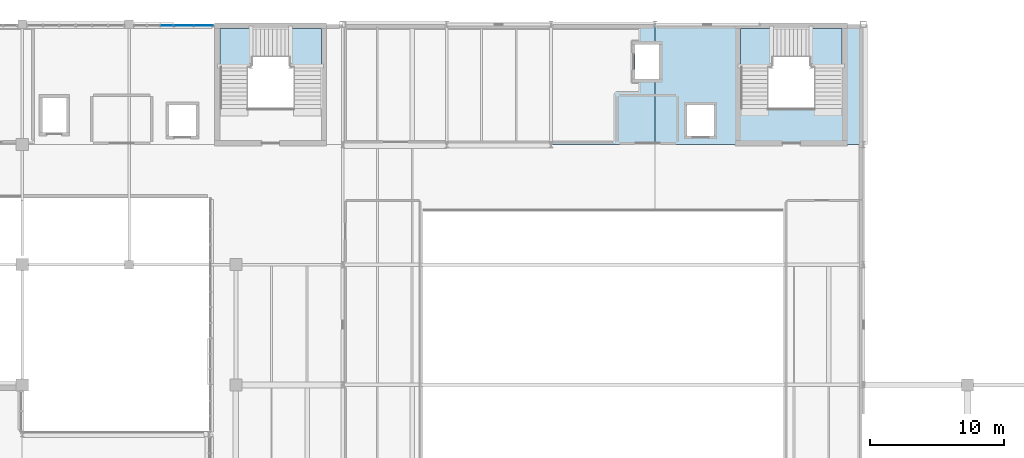
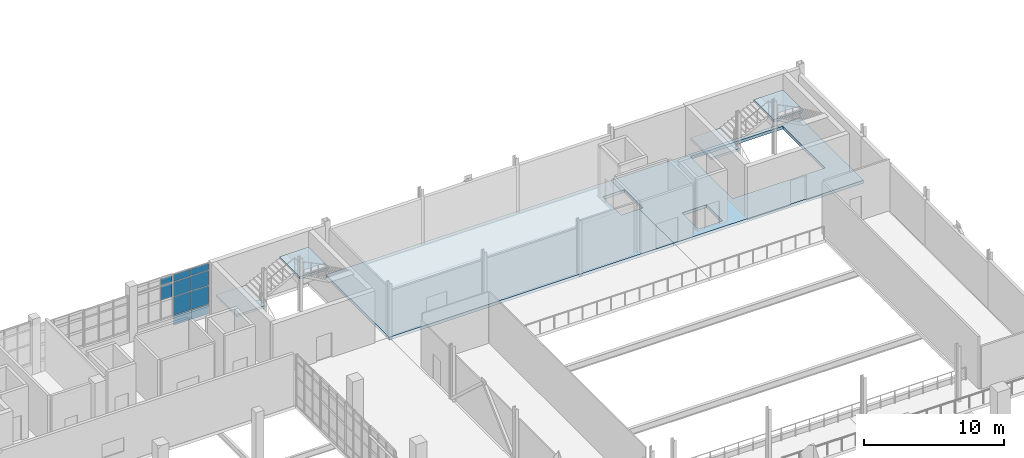
# One storey, part 73 of 100: 10 plates, 6 slabs, 4 elements without a shape of their own.
"""IFC4 building model written with IfcOpenShell, lengths in metres."""

import ifcopenshell
import ifcopenshell.guid

model = None  # the IFC model being written
_history = None  # IfcOwnerHistory: only IFC2X3 demands one
_inside = {}  # id of a spatial element -> (the spatial element, [elements in it])
_under = {}  # id of a project, library or spatial element -> (it, [spatial elements below it])
_declared = {}  # id of a project -> (the project, [libraries it declares])
_typed = {}  # id of a type object -> (the type object, [elements of that type])
_made_of = {}  # id of a material, layer set ... -> (it, [elements and type objects made of it])


def new_model(schema):
    """Start an empty IFC model of exactly this schema.

    Asked for "IFC4X3", IfcOpenShell would pick the latest addendum, in which some entities
    have other attributes; the version numbers below select the first issue.
    IFC2X3 requires an IfcOwnerHistory on every rooted entity: one is made here for all.
    """
    global model, _history
    if schema == "IFC4X3":
        model = ifcopenshell.file(schema_version=(4, 3, 0, 0))
    else:
        model = ifcopenshell.file(schema=schema)
    _inside.clear()
    _under.clear()
    _declared.clear()
    _typed.clear()
    _made_of.clear()
    _history = None
    if model.schema == "IFC2X3":
        org = make("IfcOrganization", Name="unknown")
        user = make(
            "IfcPersonAndOrganization",
            ThePerson=make("IfcPerson", FamilyName="unknown"),
            TheOrganization=org,
        )
        app = make(
            "IfcApplication",
            ApplicationDeveloper=org,
            Version="unknown",
            ApplicationFullName="unknown",
            ApplicationIdentifier="unknown",
        )
        _history = make(
            "IfcOwnerHistory",
            OwningUser=user,
            OwningApplication=app,
            ChangeAction="ADDED",
            CreationDate=0,
        )
    return model


def make(cls, **values):
    """One entity of the class cls with the attributes given. An attribute that is None is left unset."""
    return model.create_entity(
        cls, **{name: value for name, value in values.items() if value is not None}
    )


def rooted(cls, **values):
    """An entity with a GlobalId (a new one), such as an element, a storey or a relation."""
    return make(cls, GlobalId=ifcopenshell.guid.new(), OwnerHistory=_history, **values)


def si_unit(unit_type, name, prefix=None):
    """IfcSIUnit, for example si_unit("LENGTHUNIT", "METRE", prefix="MILLI")."""
    return make("IfcSIUnit", UnitType=unit_type, Prefix=prefix, Name=name)


def derived_unit(unit_type, elements):
    """IfcDerivedUnit: a product of units, each with its exponent."""
    return make(
        "IfcDerivedUnit",
        Elements=[
            make("IfcDerivedUnitElement", Unit=unit, Exponent=power)
            for unit, power in elements
        ],
        UnitType=unit_type,
    )


def assignment(units):
    """IfcUnitAssignment: the units of a project."""
    return None if units is None else make("IfcUnitAssignment", Units=units)


def point(xyz):
    """IfcCartesianPoint."""
    return None if xyz is None else make("IfcCartesianPoint", Coordinates=xyz)


def direction(xyz):
    """IfcDirection."""
    return None if xyz is None else make("IfcDirection", DirectionRatios=xyz)


def frame(location, z_axis=None, x_axis=None):
    """IfcAxis2Placement3D, a coordinate frame: its origin and axes. An axis left out is left unset."""
    return make(
        "IfcAxis2Placement3D",
        Location=point(location),
        Axis=direction(z_axis),
        RefDirection=direction(x_axis),
    )


def frame_2d(location, x_axis=None):
    """IfcAxis2Placement2D, a coordinate frame in the plane: its origin and x axis."""
    return make(
        "IfcAxis2Placement2D", Location=point(location), RefDirection=direction(x_axis)
    )


def origin():
    """The frame at (0, 0, 0) with its axes left unset."""
    return frame((0.0, 0.0, 0.0))


def origin_2d():
    """The frame at (0, 0) in the plane with its x axis left unset."""
    return frame_2d((0.0, 0.0))


def place(relative_to, where):
    """IfcLocalPlacement: puts the frame where relative to a parent placement (None: the world)."""
    return make(
        "IfcLocalPlacement", PlacementRelTo=relative_to, RelativePlacement=where
    )


def context(
    kind, dimensions, precision=None, world=None, true_north=None, identifier=None
):
    """IfcGeometricRepresentationContext, for example the 3D "Model" context."""
    return make(
        "IfcGeometricRepresentationContext",
        ContextIdentifier=identifier,
        ContextType=kind,
        CoordinateSpaceDimension=dimensions,
        Precision=precision,
        WorldCoordinateSystem=world,
        TrueNorth=true_north,
    )


def subcontext(parent, identifier, kind, view, scale=None):
    """IfcGeometricRepresentationSubContext, for example "Body" below "Model"."""
    return make(
        "IfcGeometricRepresentationSubContext",
        ContextIdentifier=identifier,
        ContextType=kind,
        ParentContext=parent,
        TargetScale=scale,
        TargetView=view,
    )


def project(units=None, contexts=None):
    """IfcProject with its units and contexts."""
    return rooted(
        "IfcProject",
        Name="project",
        RepresentationContexts=contexts,
        UnitsInContext=assignment(units),
    )


def spatial(cls, under=None, at=None, **own):
    """A site, building, storey or space (cls), placed at a placement, below another one or the project."""
    s = rooted(cls, ObjectPlacement=at, **own)
    if under is not None:
        _under.setdefault(under.id(), (under, []))[1].append(s)
    return s


def polyline(points):
    """IfcPolyline through the points."""
    return make("IfcPolyline", Points=[point(p) for p in points])


def profile(cls, at=None, kind="AREA", **sizes):
    """A parametric profile (cls). Its sizes go by their IFC names, for example OverallWidth=200.0."""
    return make(cls, ProfileType=kind, Position=at, **sizes)


def rectangle(**sizes):
    """IfcRectangleProfileDef."""
    return profile("IfcRectangleProfileDef", **sizes)


def outline(outer, holes=None, kind="AREA"):
    """IfcArbitraryClosedProfileDef: a profile drawn as a closed curve; with holes, ...WithVoids."""
    if holes is None:
        return make("IfcArbitraryClosedProfileDef", ProfileType=kind, OuterCurve=outer)
    return make(
        "IfcArbitraryProfileDefWithVoids",
        ProfileType=kind,
        OuterCurve=outer,
        InnerCurves=holes,
    )


def extrude(swept, where, along, depth):
    """IfcExtrudedAreaSolid: the profile swept, set in the frame where, extruded along a direction by depth."""
    return make(
        "IfcExtrudedAreaSolid",
        SweptArea=swept,
        Position=where,
        ExtrudedDirection=direction(along),
        Depth=depth,
    )


def shape(context_of_items, identifier, shape_type, items):
    """IfcShapeRepresentation: the items that make up one representation, for example the "Body"."""
    return make(
        "IfcShapeRepresentation",
        ContextOfItems=context_of_items,
        RepresentationIdentifier=identifier,
        RepresentationType=shape_type,
        Items=items,
    )


def material(Name=None, Category=None):
    """IfcMaterial."""
    return make("IfcMaterial", Name=Name, Category=Category)


def layer(
    of_material, thickness, ventilated=None, Name=None, Category=None, Priority=None
):
    """IfcMaterialLayer: one layer of a wall or slab, of a material (None: an air gap)."""
    return make(
        "IfcMaterialLayer",
        Material=of_material,
        LayerThickness=thickness,
        IsVentilated=ventilated,
        Name=Name,
        Category=Category,
        Priority=Priority,
    )


def layer_set(layers, Name=None):
    """IfcMaterialLayerSet."""
    return make("IfcMaterialLayerSet", MaterialLayers=layers, LayerSetName=Name)


def made_of(thing, what):
    """Note that an element or type object is made of a material, layer set ...; save() writes the relation."""
    if what is not None:
        _made_of.setdefault(what.id(), (what, []))[1].append(thing)
    return thing


def type_object(cls, material=None, **own):
    """A type object (cls), such as IfcWallType, which elements share."""
    return made_of(rooted(cls, **own), material)


def element(
    cls,
    number,
    at=None,
    inside=None,
    cuts=None,
    type_object=None,
    material=None,
    context=None,
    identifier="Body",
    shape_type=None,
    held_by="IfcProductDefinitionShape",
    body=None,
    shapes=None,
    **own,
):
    """One element of the class cls, such as IfcWall. Its Tag is "e" and its number.

    at: its placement. inside: the storey or other place that contains it. cuts: it is an
    opening in that element (IfcRelVoidsElement). A single representation is given by context,
    identifier, shape_type and body (its items); several are given by shapes. held_by: the class
    of the entity that holds the representations. save() writes the other relations.
    """
    e = rooted(cls, Tag="e%d" % number, ObjectPlacement=at, **own)
    if body is not None:
        shapes = [shape(context, identifier, shape_type, body)]
    if shapes is not None:
        e.Representation = make(held_by, Representations=shapes)
    if inside is not None:
        _inside.setdefault(inside.id(), (inside, []))[1].append(e)
    if cuts is not None:
        rooted(
            "IfcRelVoidsElement", RelatingBuildingElement=cuts, RelatedOpeningElement=e
        )
    if type_object is not None:
        _typed.setdefault(type_object.id(), (type_object, []))[1].append(e)
    return made_of(e, material)


def aggregate(whole, parts):
    """IfcRelAggregates: a whole, such as a stair, and the parts it consists of."""
    return rooted("IfcRelAggregates", RelatingObject=whole, RelatedObjects=parts)


def save(model, path):
    """Write the relations noted so far, then the file.

    IfcRelAggregates (storeys below a building ...), IfcRelContainedInSpatialStructure (elements
    in a storey), IfcRelDefinesByType, IfcRelAssociatesMaterial and IfcRelDeclares: one each for
    every whole, place, type object, material and project.
    """
    for whole, parts in _under.values():
        aggregate(whole, parts)
    for where, things in _inside.values():
        rooted(
            "IfcRelContainedInSpatialStructure",
            RelatedElements=things,
            RelatingStructure=where,
        )
    for kind, things in _typed.values():
        rooted("IfcRelDefinesByType", RelatedObjects=things, RelatingType=kind)
    for what, things in _made_of.values():
        rooted("IfcRelAssociatesMaterial", RelatedObjects=things, RelatingMaterial=what)
    for by, libraries in _declared.values():
        rooted("IfcRelDeclares", RelatingContext=by, RelatedDefinitions=libraries)
    model.write(path)


model = new_model("IFC4")

# Units and contexts
model_context = context("Model", 3, precision=1e-05, world=origin(), true_north=direction((0.0, 1.0)))
body_context = subcontext(model_context, "Body", "Model", "MODEL_VIEW")
ifc_project = project(units=[si_unit("LENGTHUNIT", "METRE"), si_unit("AREAUNIT", "SQUARE_METRE"), si_unit("VOLUMEUNIT", "CUBIC_METRE"), si_unit("PLANEANGLEUNIT", "RADIAN"), si_unit("MASSUNIT", "GRAM", prefix="KILO"), derived_unit("THERMALTRANSMITTANCEUNIT", [(si_unit("POWERUNIT", "WATT"), 1), (si_unit("LENGTHUNIT", "METRE"), -2), (si_unit("THERMODYNAMICTEMPERATUREUNIT", "KELVIN"), -1)])], contexts=[model_context])

# Site, building, storey
site_placement = place(None, origin())
site = spatial("IfcSite", under=ifc_project, at=site_placement, CompositionType="ELEMENT")
building_placement = place(site_placement, origin())
building = spatial("IfcBuilding", under=site, at=building_placement, Name="Nallur Shell Playhouse", CompositionType="ELEMENT")
storey_placement = place(building_placement, frame((0.0, 0.0, 10.199951171875)))
storey = spatial("IfcBuildingStorey", under=building, at=storey_placement, Name="L03", CompositionType="ELEMENT", Elevation=10.199951171875)

# Curtain wall, plates
ifc_material_1 = material(Name="Anodised Aluminium Double-Glazed Facade System", Category="aluminium")
ifc_layer_1 = layer(ifc_material_1, 0.159912109375)
ifc_layer_set_1 = layer_set([ifc_layer_1], Name="Anodised Aluminium Double-Glazed Facade System")
curtain_wall_type_1 = type_object("IfcCurtainWallType", Name="CW-UNIT-12", PredefinedType="NOTDEFINED", material=ifc_layer_set_1)
curtain_wall_1_placement = place(storey_placement, origin())
curtain_wall_1 = element("IfcCurtainWall", 1, at=curtain_wall_1_placement, inside=storey, type_object=curtain_wall_type_1, Name="Unitised curtain wall CW-076 (L03)", PredefinedType="NOTDEFINED")
ifc_material_2 = material(Name="Solar-Control Low-E Laminated Insulating Glass", Category="glass")
ifc_layer_2 = layer(ifc_material_2, 0.031982421875)
ifc_layer_set_2 = layer_set([ifc_layer_2], Name="Solar-Control Low-E Laminated Insulating Glass")
plate_type_1 = type_object("IfcPlateType", Name="PT-GLZ-04", PredefinedType="CURTAIN_PANEL", material=ifc_layer_set_2)
plate_1_placement = place(storey_placement, frame((50.819580078125, 82.909912109375, 2.583984375), z_axis=(0.0, 0.0, 1.0), x_axis=(1.0, 0.0, 0.0)))
plate_1 = element("IfcPlate", 2, at=plate_1_placement, type_object=plate_type_1, Name="CW-12 panel 3.3", PredefinedType="CURTAIN_PANEL", context=body_context, shape_type="SweptSolid", body=[
    extrude(rectangle(XDim=0.919677734375, YDim=0.031982421875, at=origin_2d()), origin(), (0.0, 0.0, 1.0), 1.23388671875),
])
plate_2_placement = place(storey_placement, frame((50.819580078125, 82.909912109375, 3.902099609375), z_axis=(0.0, 0.0, 1.0), x_axis=(1.0, 0.0, 0.0)))
plate_2 = element("IfcPlate", 3, at=plate_2_placement, type_object=plate_type_1, Name="CW-12 panel 3.4", PredefinedType="CURTAIN_PANEL", context=body_context, shape_type="SweptSolid", body=[
    extrude(rectangle(XDim=0.919677734375, YDim=0.031982421875, at=origin_2d()), origin(), (0.0, 0.0, 1.0), 0.5458984375),
])
aggregate(curtain_wall_1, [plate_1, plate_2])

ifc_layer_3 = layer(ifc_material_1, 0.1640625)
ifc_layer_set_3 = layer_set([ifc_layer_3], Name="Anodised Aluminium Double-Glazed Facade System")
curtain_wall_type_2 = type_object("IfcCurtainWallType", Name="CW-UNIT-13", PredefinedType="NOTDEFINED", material=ifc_layer_set_3)
curtain_wall_2_placement = place(storey_placement, origin())
curtain_wall_2 = element("IfcCurtainWall", 4, at=curtain_wall_2_placement, inside=storey, type_object=curtain_wall_type_2, Name="Unitised curtain wall CW-077 (L03)", PredefinedType="NOTDEFINED")
ifc_layer_4 = layer(ifc_material_2, 0.033935546875)
ifc_layer_set_4 = layer_set([ifc_layer_4], Name="Solar-Control Low-E Laminated Insulating Glass")
plate_type_2 = type_object("IfcPlateType", Name="PT-GLZ-05", PredefinedType="CURTAIN_PANEL", material=ifc_layer_set_4)
plate_3_placement = place(storey_placement, frame((52.117431640625, 82.909912109375, 0.05712890625), z_axis=(0.0, 0.0, 1.0), x_axis=(1.0, 0.0, 0.0)))
plate_3 = element("IfcPlate", 5, at=plate_3_placement, type_object=plate_type_2, Name="CW-13 panel 1.1", PredefinedType="CURTAIN_PANEL", context=body_context, shape_type="SweptSolid", body=[
    extrude(rectangle(XDim=1.397705078125, YDim=0.033935546875, at=origin_2d()), origin(), (0.0, 0.0, 1.0), 0.818603515625),
])
plate_4_placement = place(storey_placement, frame((52.117431640625, 82.909912109375, 0.924560546875), z_axis=(0.0, 0.0, 1.0), x_axis=(1.0, 0.0, 0.0)))
plate_4 = element("IfcPlate", 6, at=plate_4_placement, type_object=plate_type_2, Name="CW-13 panel 1.2", PredefinedType="CURTAIN_PANEL", context=body_context, shape_type="SweptSolid", body=[
    extrude(rectangle(XDim=1.397705078125, YDim=0.033935546875, at=origin_2d()), origin(), (0.0, 0.0, 1.0), 1.58203125),
])
plate_5_placement = place(storey_placement, frame((52.117431640625, 82.909912109375, 2.5556640625), z_axis=(0.0, 0.0, 1.0), x_axis=(1.0, 0.0, 0.0)))
plate_5 = element("IfcPlate", 7, at=plate_5_placement, type_object=plate_type_2, Name="CW-13 panel 1.3", PredefinedType="CURTAIN_PANEL", context=body_context, shape_type="SweptSolid", body=[
    extrude(rectangle(XDim=1.397705078125, YDim=0.033935546875, at=origin_2d()), origin(), (0.0, 0.0, 1.0), 1.260009765625),
])
plate_6_placement = place(storey_placement, frame((52.117431640625, 82.909912109375, 3.86474609375), z_axis=(0.0, 0.0, 1.0), x_axis=(1.0, 0.0, 0.0)))
plate_6 = element("IfcPlate", 8, at=plate_6_placement, type_object=plate_type_2, Name="CW-13 panel 1.4", PredefinedType="CURTAIN_PANEL", context=body_context, shape_type="SweptSolid", body=[
    extrude(rectangle(XDim=1.397705078125, YDim=0.033935546875, at=origin_2d()), origin(), (0.0, 0.0, 1.0), 0.598388671875),
])
plate_7_placement = place(storey_placement, frame((53.5791015625, 82.909912109375, 0.05712890625), z_axis=(0.0, 0.0, 1.0), x_axis=(1.0, 0.0, 0.0)))
plate_7 = element("IfcPlate", 9, at=plate_7_placement, type_object=plate_type_2, Name="CW-13 panel 2.1", PredefinedType="CURTAIN_PANEL", context=body_context, shape_type="SweptSolid", body=[
    extrude(rectangle(XDim=1.397705078125, YDim=0.033935546875, at=origin_2d()), origin(), (0.0, 0.0, 1.0), 0.818603515625),
])
plate_8_placement = place(storey_placement, frame((53.5791015625, 82.909912109375, 0.924560546875), z_axis=(0.0, 0.0, 1.0), x_axis=(1.0, 0.0, 0.0)))
plate_8 = element("IfcPlate", 10, at=plate_8_placement, type_object=plate_type_2, Name="CW-13 panel 2.2", PredefinedType="CURTAIN_PANEL", context=body_context, shape_type="SweptSolid", body=[
    extrude(rectangle(XDim=1.397705078125, YDim=0.033935546875, at=origin_2d()), origin(), (0.0, 0.0, 1.0), 1.58203125),
])
plate_9_placement = place(storey_placement, frame((53.5791015625, 82.909912109375, 2.5556640625), z_axis=(0.0, 0.0, 1.0), x_axis=(1.0, 0.0, 0.0)))
plate_9 = element("IfcPlate", 11, at=plate_9_placement, type_object=plate_type_2, Name="CW-13 panel 2.3", PredefinedType="CURTAIN_PANEL", context=body_context, shape_type="SweptSolid", body=[
    extrude(rectangle(XDim=1.397705078125, YDim=0.033935546875, at=origin_2d()), origin(), (0.0, 0.0, 1.0), 1.260009765625),
])
plate_10_placement = place(storey_placement, frame((53.5791015625, 82.909912109375, 3.86474609375), z_axis=(0.0, 0.0, 1.0), x_axis=(1.0, 0.0, 0.0)))
plate_10 = element("IfcPlate", 12, at=plate_10_placement, type_object=plate_type_2, Name="CW-13 panel 2.4", PredefinedType="CURTAIN_PANEL", context=body_context, shape_type="SweptSolid", body=[
    extrude(rectangle(XDim=1.397705078125, YDim=0.033935546875, at=origin_2d()), origin(), (0.0, 0.0, 1.0), 0.598388671875),
])
aggregate(curtain_wall_2, [plate_3, plate_4, plate_5, plate_6, plate_7, plate_8, plate_9, plate_10])

# Slabs
ifc_material_3 = material(Name="Concrete M30", Category="concrete")
ifc_layer_5 = layer(ifc_material_3, 0.260009765625)
ifc_layer_set_5 = layer_set([ifc_layer_5], Name="Concrete M30")
slab_type_1 = type_object("IfcSlabType", Name="SL-FLOOR-260", PredefinedType="FLOOR", material=ifc_layer_set_5)
slab_1_placement = place(storey_placement, frame((0.0, 0.0, -0.260009765625)))
element("IfcSlab", 13, at=slab_1_placement, inside=storey, type_object=slab_type_1, Name="L03 structural floor slab panel 14", PredefinedType="FLOOR", context=body_context, shape_type="SweptSolid", body=[
    extrude(outline(polyline([(87.39990234375, 83.0), (87.39990234375, 81.5), (85.89990234375, 81.5), (85.89990234375, 78.89990234375), (87.39990234375, 78.89990234375), (87.39990234375, 74.0), (64.0, 74.0), (64.0, 83.0), (87.39990234375, 83.0)])), origin(), (0.0, 0.0, 1.0), 0.260009765625),
])
slab_2_placement = place(storey_placement, frame((0.0, 0.0, -0.260009765625)))
element("IfcSlab", 14, at=slab_2_placement, inside=storey, type_object=slab_type_1, Name="L03 structural floor slab panel 18", PredefinedType="FLOOR", context=body_context, shape_type="SweptSolid", body=[
    extrude(outline(polyline([(103.0, 83.0), (103.0, 74.0), (87.39990234375, 74.0), (87.39990234375, 78.89990234375), (87.699951171875, 78.89990234375), (87.699951171875, 81.5), (87.39990234375, 81.5), (87.39990234375, 83.0), (103.0, 83.0)]), holes=[polyline([(91.800048828125, 76.949951171875), (89.800048828125, 76.949951171875), (89.800048828125, 74.64990234375), (91.800048828125, 74.64990234375), (91.800048828125, 76.949951171875)]), polyline([(101.39990234375, 76.699951171875), (101.39990234375, 82.699951171875), (93.800048828125, 82.699951171875), (93.800048828125, 76.699951171875), (101.39990234375, 76.699951171875)])]), origin(), (0.0, 0.0, 1.0), 0.260009765625),
])

# Stair, slabs
ifc_material_4 = material(Name="Concrete M35", Category="concrete")
stair_type = type_object("IfcStairType", Name="ST-CORE-48", PredefinedType="QUARTER_TURN_STAIR", material=ifc_material_4)
stair_1_placement = place(storey_placement, origin())
stair_1 = element("IfcStair", 15, at=stair_1_placement, inside=storey, type_object=stair_type, Name="Core JC-3 exit stair ST-03-L03 (L03 to L04)", PredefinedType="QUARTER_TURN_STAIR")
ifc_layer_6 = layer(ifc_material_4, 0.199951171875)
ifc_layer_set_6 = layer_set([ifc_layer_6], Name="Concrete M35")
slab_type_2 = type_object("IfcSlabType", Name="SL-LANDING-200", PredefinedType="LANDING", material=ifc_layer_set_6)
slab_3_placement = place(storey_placement, frame((0.0, 0.0, 1.449951171875)))
slab_3 = element("IfcSlab", 16, at=slab_3_placement, type_object=slab_type_2, Name="ST-48 landing 1", PredefinedType="LANDING", context=body_context, shape_type="SweptSolid", body=[
    extrude(outline(polyline([(54.800048828125, 79.800048828125), (57.205078125, 79.800048828125), (57.205078125, 82.699951171875), (54.800048828125, 82.699951171875), (54.800048828125, 79.800048828125)])), origin(), (0.0, 0.0, 1.0), 0.2001953125),
])
slab_4_placement = place(storey_placement, frame((0.0, 0.0, 2.949951171875)))
slab_4 = element("IfcSlab", 17, at=slab_4_placement, type_object=slab_type_2, Name="ST-48 landing 2", PredefinedType="LANDING", context=body_context, shape_type="SweptSolid", body=[
    extrude(outline(polyline([(59.9951171875, 79.800048828125), (62.39990234375, 79.800048828125), (62.39990234375, 82.699951171875), (59.9951171875, 82.699951171875), (59.9951171875, 79.800048828125)])), origin(), (0.0, 0.0, 1.0), 0.2001953125),
])
aggregate(stair_1, [slab_3, slab_4])

stair_2_placement = place(storey_placement, origin())
stair_2 = element("IfcStair", 18, at=stair_2_placement, inside=storey, type_object=stair_type, Name="Core JC-4 exit stair ST-04-L03 (L03 to L04)", PredefinedType="QUARTER_TURN_STAIR")
slab_5_placement = place(storey_placement, frame((0.0, 0.0, 1.449951171875)))
slab_5 = element("IfcSlab", 19, at=slab_5_placement, type_object=slab_type_2, Name="ST-48 landing 1", PredefinedType="LANDING", context=body_context, shape_type="SweptSolid", body=[
    extrude(outline(polyline([(93.800048828125, 79.800048828125), (96.205078125, 79.800048828125), (96.205078125, 82.699951171875), (93.800048828125, 82.699951171875), (93.800048828125, 79.800048828125)])), origin(), (0.0, 0.0, 1.0), 0.2001953125),
])
slab_6_placement = place(storey_placement, frame((0.0, 0.0, 2.949951171875)))
slab_6 = element("IfcSlab", 20, at=slab_6_placement, type_object=slab_type_2, Name="ST-48 landing 2", PredefinedType="LANDING", context=body_context, shape_type="SweptSolid", body=[
    extrude(outline(polyline([(98.9951171875, 79.800048828125), (101.39990234375, 79.800048828125), (101.39990234375, 82.699951171875), (98.9951171875, 82.699951171875), (98.9951171875, 79.800048828125)])), origin(), (0.0, 0.0, 1.0), 0.2001953125),
])
aggregate(stair_2, [slab_5, slab_6])

save(model, "model.ifc")
